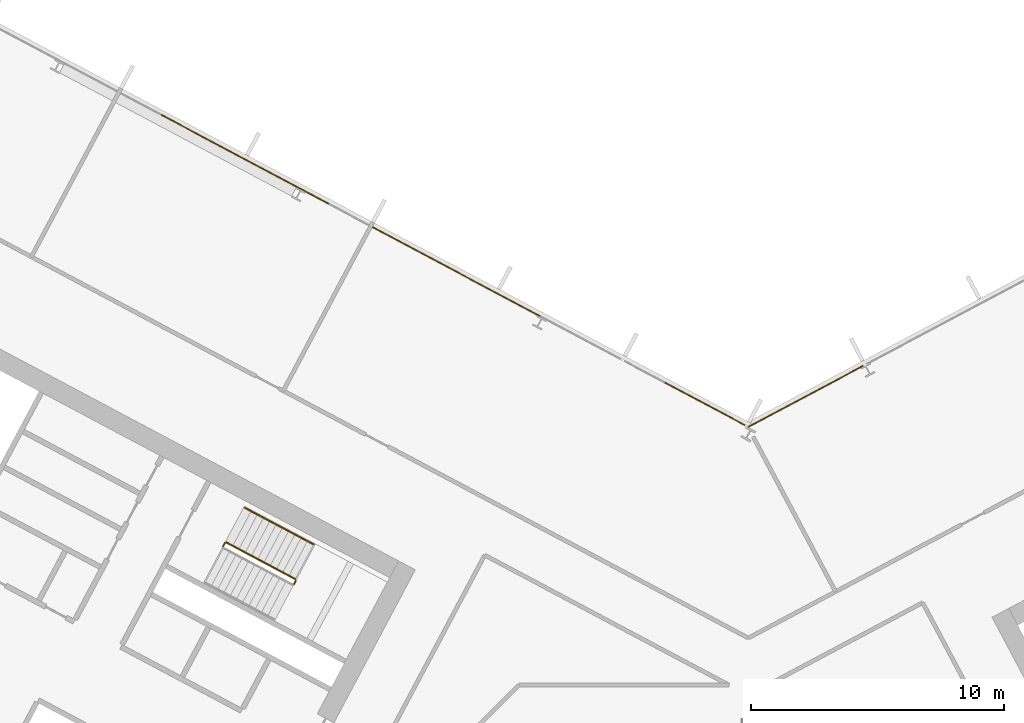
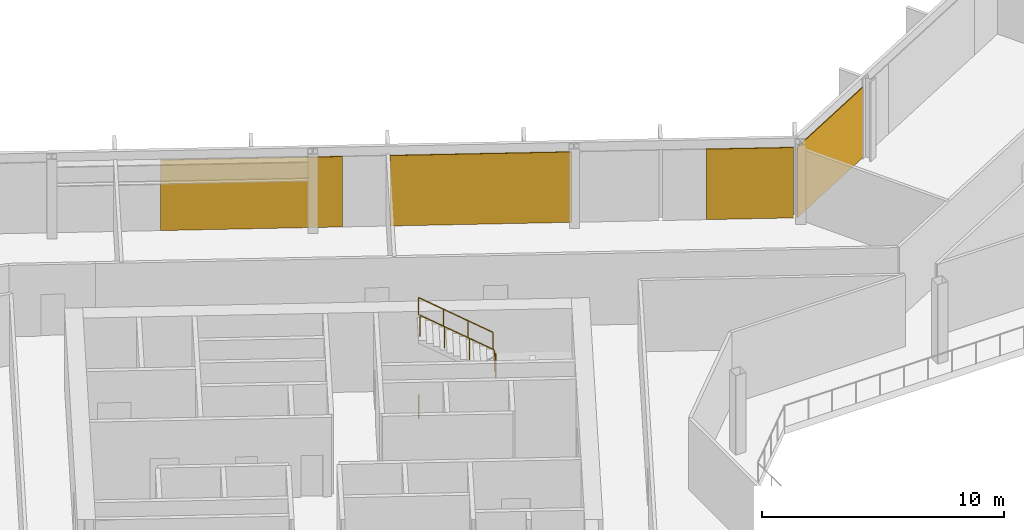
# One storey, part 23 of 28: 4 coverings, 4 railings, 2 elements without a shape of their own.
"""IFC4 building model written with IfcOpenShell, lengths in metres."""

from ifc_helpers import new_model, si_unit, direction, frame, origin, origin_2d, place, context, subcontext, project, spatial, polyline, rectangle, outline, extrude, material, layer, layer_set, type_object, element, aggregate, save


model = new_model("IFC4")

# Units and contexts
model_context = context("Model", 3, precision=1e-05, world=origin(), true_north=direction((0.0, 1.0)))
body_context = subcontext(model_context, "Body", "Model", "MODEL_VIEW")
ifc_project = project(units=[si_unit("LENGTHUNIT", "METRE"), si_unit("AREAUNIT", "SQUARE_METRE"), si_unit("VOLUMEUNIT", "CUBIC_METRE"), si_unit("PLANEANGLEUNIT", "RADIAN"), si_unit("MASSUNIT", "GRAM", prefix="KILO")], contexts=[model_context])

# Site, building, storey
site_placement = place(None, origin())
site = spatial("IfcSite", under=ifc_project, at=site_placement, CompositionType="ELEMENT")
building_placement = place(site_placement, origin())
building = spatial("IfcBuilding", under=site, at=building_placement, Name="Cormorant Relay Tower", CompositionType="ELEMENT")
storey_placement = place(building_placement, frame((0.0, 0.0, 174.199951171875)))
storey = spatial("IfcBuildingStorey", under=building, at=storey_placement, Name="L37", CompositionType="ELEMENT", Elevation=174.199951171875)

# Curtain wall, covering
ifc_material_1 = material(Name="Aluminium 6063-T6 anodised bronze", Category="aluminium")
ifc_layer_1 = layer(ifc_material_1, 0.199951171875)
ifc_layer_set_1 = layer_set([ifc_layer_1], Name="CW1 unitised bronze curtain wall with vertical fins")
curtain_wall_type = type_object("IfcCurtainWallType", Name="CW1 unitised bronze curtain wall with vertical fins", PredefinedType="NOTDEFINED", material=ifc_layer_set_1)
curtain_wall_1_placement = place(storey_placement, origin())
curtain_wall_1 = element("IfcCurtainWall", 1, at=curtain_wall_1_placement, inside=storey, type_object=curtain_wall_type, Name="CW1 curtain wall 8", PredefinedType="NOTDEFINED")
ifc_material_2 = material(Name="Pale bronze anodised aluminium insulated panel", Category="aluminium")
ifc_layer_2 = layer(ifc_material_2, 0.0400390625)
ifc_layer_set_2 = layer_set([ifc_layer_2], Name="CW1 pale bronze insulated panel 40")
covering_type = type_object("IfcCoveringType", Name="CW1 pale bronze insulated panel 40", PredefinedType="CLADDING", material=ifc_layer_set_2)
covering_1_placement = place(storey_placement, frame((2.26611328125, 25.011474609375, 0.0), z_axis=(0.0, 0.0, 1.0), x_axis=(-0.882947592859, -0.469471562786, 0.0)))
covering_1 = element("IfcCovering", 2, at=covering_1_placement, type_object=covering_type, Name="CW1 panel S09", PredefinedType="CLADDING", context=body_context, shape_type="SweptSolid", body=[
    extrude(rectangle(XDim=5.154296875, YDim=0.0400390625, at=origin_2d()), origin(), (0.0, 0.0, 1.0), 3.550048828125),
])
aggregate(curtain_wall_1, [covering_1])

# Curtain wall, coverings
curtain_wall_2_placement = place(storey_placement, origin())
curtain_wall_2 = element("IfcCurtainWall", 3, at=curtain_wall_2_placement, inside=storey, type_object=curtain_wall_type, Name="CW1 curtain wall 9", PredefinedType="NOTDEFINED")
covering_2_placement = place(storey_placement, frame((-1.718505859375, 24.720458984375, 0.0), z_axis=(0.0, 0.0, 1.0), x_axis=(-0.882947592859, 0.469471562786, 0.0)))
covering_2 = element("IfcCovering", 4, at=covering_2_placement, type_object=covering_type, Name="CW1 panel S00", PredefinedType="CLADDING", context=body_context, shape_type="SweptSolid", body=[
    extrude(rectangle(XDim=3.614013671875, YDim=0.0400390625, at=origin_2d()), origin(), (0.0, 0.0, 1.0), 3.550048828125),
])
covering_3_placement = place(storey_placement, frame((-11.537841796875, 29.94140625, 0.0), z_axis=(0.0, 0.0, 1.0), x_axis=(-0.882947592859, 0.469471562786, 0.0)))
covering_3 = element("IfcCovering", 5, at=covering_3_placement, type_object=covering_type, Name="CW1 panel S03", PredefinedType="CLADDING", context=body_context, shape_type="SweptSolid", body=[
    extrude(rectangle(XDim=7.528076171875, YDim=0.0400390625, at=origin_2d()), origin(), (0.0, 0.0, 1.0), 3.550048828125),
])
covering_4_placement = place(storey_placement, frame((-19.906494140625, 34.39111328125, 0.0), z_axis=(0.0, 0.0, 1.0), x_axis=(-0.882947592859, 0.469471562786, 0.0)))
covering_4 = element("IfcCovering", 6, at=covering_4_placement, type_object=covering_type, Name="CW1 panel S05", PredefinedType="CLADDING", context=body_context, shape_type="SweptSolid", body=[
    extrude(rectangle(XDim=7.528076171875, YDim=0.0400390625, at=origin_2d()), origin(), (0.0, 0.0, 1.0), 3.550048828125),
])
aggregate(curtain_wall_2, [covering_2, covering_3, covering_4])

# Railings
ifc_material_3 = material(Name="Steel ASTM A572 Grade 50 (Fy 345 MPa)", Category="steel")
railing_type_1 = type_object("IfcRailingType", Name="Stair guard 1100", PredefinedType="GUARDRAIL", material=ifc_material_3)
railing_1_placement = place(storey_placement, frame((-17.96337890625, 17.592529296875, 2.0)))
element("IfcRailing", 7, at=railing_1_placement, inside=storey, type_object=railing_type_1, Name="L37 A1 stair guard 2", PredefinedType="GUARDRAIL", context=body_context, shape_type="SweptSolid", body=[
    extrude(outline(polyline([(0.022216796875, 0.00927734375), (0.00927734375, 0.022216796875), (-0.00927734375, 0.022216796875), (-0.022216796875, 0.00927734375), (-0.022216796875, -0.00927734375), (-0.00927734375, -0.022216796875), (0.00927734375, -0.022216796875), (0.022216796875, -0.00927734375), (0.022216796875, 0.00927734375)])), frame((0.0, 0.0, 1.076171875), z_axis=(0.46856034887, 0.8834314911, 0.0), x_axis=(-0.8834314911, 0.46856034887, 0.0)), (0.0, 0.0, 1.0), 0.150146484375),
    extrude(outline(polyline([(0.019287109375, 0.008056640625), (0.008056640625, 0.019287109375), (-0.008056640625, 0.019287109375), (-0.019287109375, 0.008056640625), (-0.019287109375, -0.008056640625), (-0.008056640625, -0.019287109375), (0.008056640625, -0.019287109375), (0.019287109375, -0.008056640625), (0.019287109375, 0.008056640625)])), origin(), (0.0, 0.0, 1.0), 1.052001953125),
    extrude(outline(polyline([(0.019287109375, 0.008056640625), (0.008056640625, 0.019287109375), (-0.008056640625, 0.019287109375), (-0.019287109375, 0.008056640625), (-0.019287109375, -0.008056640625), (-0.008056640625, -0.019287109375), (0.008056640625, -0.019287109375), (0.019287109375, -0.008056640625), (0.019287109375, 0.008056640625)])), frame((0.0703125, 0.132568359375, 0.0)), (0.0, 0.0, 1.0), 1.052001953125),
])
railing_2_placement = place(storey_placement, frame((-17.913818359375, 17.792724609375, 2.166748046875)))
element("IfcRailing", 8, at=railing_2_placement, inside=storey, type_object=railing_type_1, Name="L37 A1 stair guard 3", PredefinedType="GUARDRAIL", context=body_context, shape_type="SweptSolid", body=[
    extrude(outline(polyline([(0.022216796875, 0.00927734375), (0.00927734375, 0.022216796875), (-0.00927734375, 0.022216796875), (-0.022216796875, 0.00927734375), (-0.022216796875, -0.00927734375), (-0.00927734375, -0.022216796875), (0.00927734375, -0.022216796875), (0.022216796875, -0.00927734375), (0.022216796875, 0.00927734375)])), frame((0.0, 0.0, 1.076171875), z_axis=(-0.758734504837, 0.403377838015, 0.511476559549), x_axis=(-0.469427602063, -0.882970965786, 0.0)), (0.0, 0.0, 1.0), 3.584228515625),
    extrude(outline(polyline([(0.019287109375, 0.008056640625), (0.008056640625, 0.019287109375), (-0.008056640625, 0.019287109375), (-0.019287109375, 0.008056640625), (-0.019287109375, -0.008056640625), (-0.008056640625, -0.019287109375), (0.008056640625, -0.019287109375), (0.019287109375, -0.008056640625), (0.019287109375, 0.008056640625)])), origin(), (0.0, 0.0, 1.0), 1.052001953125),
    extrude(outline(polyline([(0.019287109375, 0.008056640625), (0.008056640625, 0.019287109375), (-0.008056640625, 0.019287109375), (-0.019287109375, 0.008056640625), (-0.019287109375, -0.008056640625), (-0.008056640625, -0.019287109375), (0.008056640625, -0.019287109375), (0.019287109375, -0.008056640625), (0.019287109375, 0.008056640625)])), frame((-0.906494140625, 0.48193359375, 0.611083984375)), (0.0, 0.0, 1.0), 1.052001953125),
    extrude(outline(polyline([(0.019287109375, 0.008056640625), (0.008056640625, 0.019287109375), (-0.008056640625, 0.019287109375), (-0.019287109375, 0.008056640625), (-0.019287109375, -0.008056640625), (-0.008056640625, -0.019287109375), (0.008056640625, -0.019287109375), (0.019287109375, -0.008056640625), (0.019287109375, 0.008056640625)])), frame((-1.81298828125, 0.9638671875, 1.22216796875)), (0.0, 0.0, 1.0), 1.052001953125),
    extrude(outline(polyline([(0.019287109375, 0.008056640625), (0.008056640625, 0.019287109375), (-0.008056640625, 0.019287109375), (-0.019287109375, 0.008056640625), (-0.019287109375, -0.008056640625), (-0.008056640625, -0.019287109375), (0.008056640625, -0.019287109375), (0.019287109375, -0.008056640625), (0.019287109375, 0.008056640625)])), frame((-2.719482421875, 1.44580078125, 1.833251953125)), (0.0, 0.0, 1.0), 1.052001953125),
])
railing_3_placement = place(storey_placement, frame((-20.771240234375, 19.08544921875, 0.0)))
element("IfcRailing", 9, at=railing_3_placement, inside=storey, type_object=railing_type_1, Name="L37 A1 stair guard 4", PredefinedType="GUARDRAIL", context=body_context, shape_type="SweptSolid", body=[
    extrude(outline(polyline([(0.022216796875, 0.00927734375), (0.00927734375, 0.022216796875), (-0.00927734375, 0.022216796875), (-0.022216796875, 0.00927734375), (-0.022216796875, -0.00927734375), (-0.00927734375, -0.022216796875), (0.00927734375, -0.022216796875), (0.022216796875, -0.00927734375), (0.022216796875, 0.00927734375)])), frame((0.0, 0.0, 1.076171875), z_axis=(0.469828648786, 0.882757634224, 0.0), x_axis=(-0.882757634224, 0.469828648786, 0.0)), (0.0, 0.0, 1.0), 0.150146484375),
    extrude(outline(polyline([(0.019287109375, 0.008056640625), (0.008056640625, 0.019287109375), (-0.008056640625, 0.019287109375), (-0.019287109375, 0.008056640625), (-0.019287109375, -0.008056640625), (-0.008056640625, -0.019287109375), (0.008056640625, -0.019287109375), (0.019287109375, -0.008056640625), (0.019287109375, 0.008056640625)])), origin(), (0.0, 0.0, 1.0), 1.052001953125),
    extrude(outline(polyline([(0.019287109375, 0.008056640625), (0.008056640625, 0.019287109375), (-0.008056640625, 0.019287109375), (-0.019287109375, 0.008056640625), (-0.019287109375, -0.008056640625), (-0.008056640625, -0.019287109375), (0.008056640625, -0.019287109375), (0.019287109375, -0.008056640625), (0.019287109375, 0.008056640625)])), frame((0.070556640625, 0.132568359375, 0.0)), (0.0, 0.0, 1.0), 1.052001953125),
])
ifc_material_4 = material(Name="Steel ASTM A572 Grade 50 (Fy 345 MPa)", Category="steel")
railing_type_2 = type_object("IfcRailingType", Name="Stair handrail 900", PredefinedType="HANDRAIL", material=ifc_material_4)
railing_4_placement = place(storey_placement, frame((-17.18603515625, 19.1611328125, 2.166748046875)))
element("IfcRailing", 10, at=railing_4_placement, inside=storey, type_object=railing_type_2, Name="L37 A1 stair handrail 2", PredefinedType="HANDRAIL", context=body_context, shape_type="SweptSolid", body=[
    extrude(outline(polyline([(0.022216796875, 0.00927734375), (0.00927734375, 0.022216796875), (-0.00927734375, 0.022216796875), (-0.022216796875, 0.00927734375), (-0.022216796875, -0.00927734375), (-0.00927734375, -0.022216796875), (0.00927734375, -0.022216796875), (0.022216796875, -0.00927734375), (0.022216796875, 0.00927734375)])), frame((0.0, 0.0, 0.8759765625), z_axis=(-0.758713656843, 0.403434867536, 0.511462505542), x_axis=(-0.469489399267, -0.882938108802, 0.0)), (0.0, 0.0, 1.0), 3.584228515625),
    extrude(outline(polyline([(0.019287109375, 0.008056640625), (0.008056640625, 0.019287109375), (-0.008056640625, 0.019287109375), (-0.019287109375, 0.008056640625), (-0.019287109375, -0.008056640625), (-0.008056640625, -0.019287109375), (0.008056640625, -0.019287109375), (0.019287109375, -0.008056640625), (0.019287109375, 0.008056640625)])), origin(), (0.0, 0.0, 1.0), 0.851806640625),
    extrude(outline(polyline([(0.019287109375, 0.008056640625), (0.008056640625, 0.019287109375), (-0.008056640625, 0.019287109375), (-0.019287109375, 0.008056640625), (-0.019287109375, -0.008056640625), (-0.008056640625, -0.019287109375), (0.008056640625, -0.019287109375), (0.019287109375, -0.008056640625), (0.019287109375, 0.008056640625)])), frame((-0.906494140625, 0.48193359375, 0.611083984375)), (0.0, 0.0, 1.0), 0.851806640625),
    extrude(outline(polyline([(0.019287109375, 0.008056640625), (0.008056640625, 0.019287109375), (-0.008056640625, 0.019287109375), (-0.019287109375, 0.008056640625), (-0.019287109375, -0.008056640625), (-0.008056640625, -0.019287109375), (0.008056640625, -0.019287109375), (0.019287109375, -0.008056640625), (0.019287109375, 0.008056640625)])), frame((-1.81298828125, 0.964111328125, 1.22216796875)), (0.0, 0.0, 1.0), 0.851806640625),
    extrude(outline(polyline([(0.019287109375, 0.008056640625), (0.008056640625, 0.019287109375), (-0.008056640625, 0.019287109375), (-0.019287109375, 0.008056640625), (-0.019287109375, -0.008056640625), (-0.008056640625, -0.019287109375), (0.008056640625, -0.019287109375), (0.019287109375, -0.008056640625), (0.019287109375, 0.008056640625)])), frame((-2.719482421875, 1.446044921875, 1.833251953125)), (0.0, 0.0, 1.0), 0.851806640625),
])

save(model, "model.ifc")
